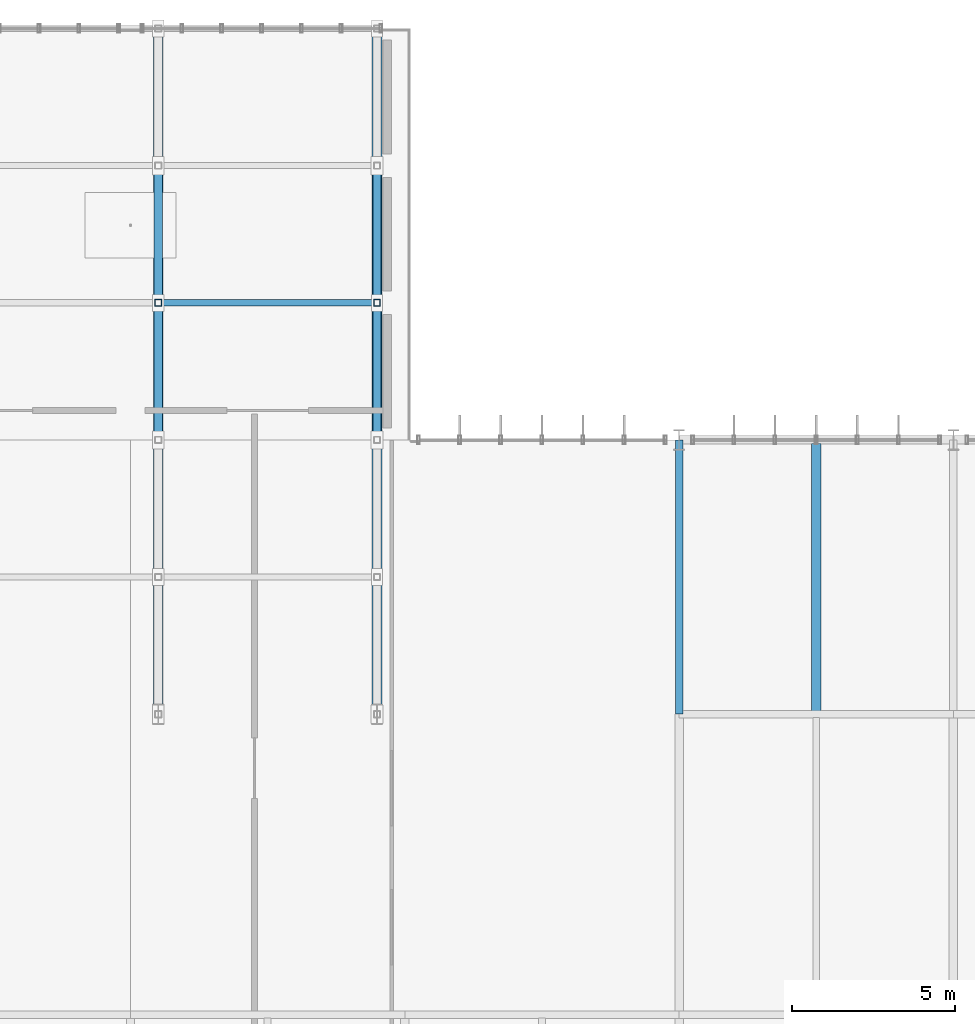
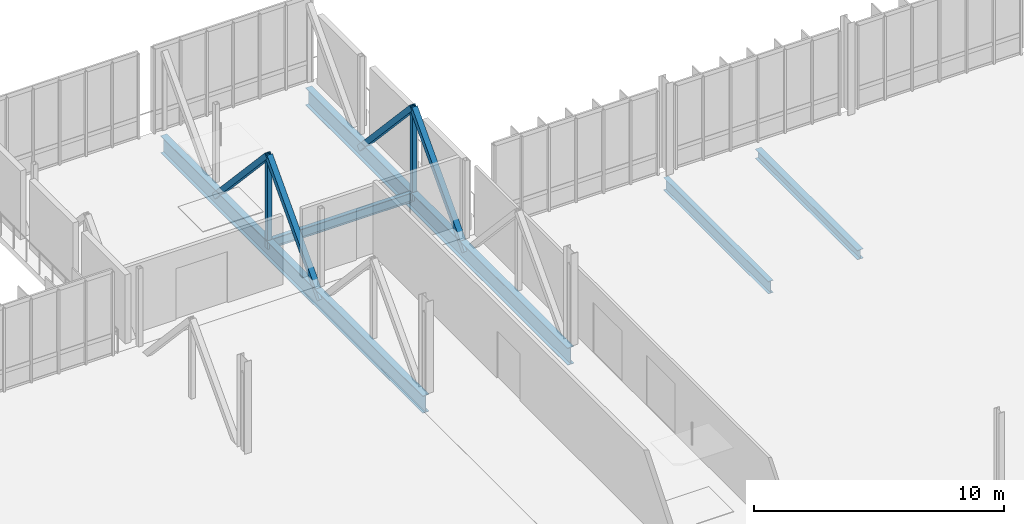
# One storey, part 70 of 139: 6 members, 5 beams.
"""IFC4 building model written with IfcOpenShell, lengths in metres."""

import ifcopenshell
import ifcopenshell.guid

model = None  # the IFC model being written
_history = None  # IfcOwnerHistory: only IFC2X3 demands one
_inside = {}  # id of a spatial element -> (the spatial element, [elements in it])
_under = {}  # id of a project, library or spatial element -> (it, [spatial elements below it])
_declared = {}  # id of a project -> (the project, [libraries it declares])
_typed = {}  # id of a type object -> (the type object, [elements of that type])
_made_of = {}  # id of a material, layer set ... -> (it, [elements and type objects made of it])


def new_model(schema):
    """Start an empty IFC model of exactly this schema.

    Asked for "IFC4X3", IfcOpenShell would pick the latest addendum, in which some entities
    have other attributes; the version numbers below select the first issue.
    IFC2X3 requires an IfcOwnerHistory on every rooted entity: one is made here for all.
    """
    global model, _history
    if schema == "IFC4X3":
        model = ifcopenshell.file(schema_version=(4, 3, 0, 0))
    else:
        model = ifcopenshell.file(schema=schema)
    _inside.clear()
    _under.clear()
    _declared.clear()
    _typed.clear()
    _made_of.clear()
    _history = None
    if model.schema == "IFC2X3":
        org = make("IfcOrganization", Name="unknown")
        user = make(
            "IfcPersonAndOrganization",
            ThePerson=make("IfcPerson", FamilyName="unknown"),
            TheOrganization=org,
        )
        app = make(
            "IfcApplication",
            ApplicationDeveloper=org,
            Version="unknown",
            ApplicationFullName="unknown",
            ApplicationIdentifier="unknown",
        )
        _history = make(
            "IfcOwnerHistory",
            OwningUser=user,
            OwningApplication=app,
            ChangeAction="ADDED",
            CreationDate=0,
        )
    return model


def make(cls, **values):
    """One entity of the class cls with the attributes given. An attribute that is None is left unset."""
    return model.create_entity(
        cls, **{name: value for name, value in values.items() if value is not None}
    )


def rooted(cls, **values):
    """An entity with a GlobalId (a new one), such as an element, a storey or a relation."""
    return make(cls, GlobalId=ifcopenshell.guid.new(), OwnerHistory=_history, **values)


def si_unit(unit_type, name, prefix=None):
    """IfcSIUnit, for example si_unit("LENGTHUNIT", "METRE", prefix="MILLI")."""
    return make("IfcSIUnit", UnitType=unit_type, Prefix=prefix, Name=name)


def derived_unit(unit_type, elements):
    """IfcDerivedUnit: a product of units, each with its exponent."""
    return make(
        "IfcDerivedUnit",
        Elements=[
            make("IfcDerivedUnitElement", Unit=unit, Exponent=power)
            for unit, power in elements
        ],
        UnitType=unit_type,
    )


def assignment(units):
    """IfcUnitAssignment: the units of a project."""
    return None if units is None else make("IfcUnitAssignment", Units=units)


def point(xyz):
    """IfcCartesianPoint."""
    return None if xyz is None else make("IfcCartesianPoint", Coordinates=xyz)


def direction(xyz):
    """IfcDirection."""
    return None if xyz is None else make("IfcDirection", DirectionRatios=xyz)


def frame(location, z_axis=None, x_axis=None):
    """IfcAxis2Placement3D, a coordinate frame: its origin and axes. An axis left out is left unset."""
    return make(
        "IfcAxis2Placement3D",
        Location=point(location),
        Axis=direction(z_axis),
        RefDirection=direction(x_axis),
    )


def frame_2d(location, x_axis=None):
    """IfcAxis2Placement2D, a coordinate frame in the plane: its origin and x axis."""
    return make(
        "IfcAxis2Placement2D", Location=point(location), RefDirection=direction(x_axis)
    )


def origin():
    """The frame at (0, 0, 0) with its axes left unset."""
    return frame((0.0, 0.0, 0.0))


def origin_2d():
    """The frame at (0, 0) in the plane with its x axis left unset."""
    return frame_2d((0.0, 0.0))


def place(relative_to, where):
    """IfcLocalPlacement: puts the frame where relative to a parent placement (None: the world)."""
    return make(
        "IfcLocalPlacement", PlacementRelTo=relative_to, RelativePlacement=where
    )


def context(
    kind, dimensions, precision=None, world=None, true_north=None, identifier=None
):
    """IfcGeometricRepresentationContext, for example the 3D "Model" context."""
    return make(
        "IfcGeometricRepresentationContext",
        ContextIdentifier=identifier,
        ContextType=kind,
        CoordinateSpaceDimension=dimensions,
        Precision=precision,
        WorldCoordinateSystem=world,
        TrueNorth=true_north,
    )


def subcontext(parent, identifier, kind, view, scale=None):
    """IfcGeometricRepresentationSubContext, for example "Body" below "Model"."""
    return make(
        "IfcGeometricRepresentationSubContext",
        ContextIdentifier=identifier,
        ContextType=kind,
        ParentContext=parent,
        TargetScale=scale,
        TargetView=view,
    )


def project(units=None, contexts=None):
    """IfcProject with its units and contexts."""
    return rooted(
        "IfcProject",
        Name="project",
        RepresentationContexts=contexts,
        UnitsInContext=assignment(units),
    )


def spatial(cls, under=None, at=None, **own):
    """A site, building, storey or space (cls), placed at a placement, below another one or the project."""
    s = rooted(cls, ObjectPlacement=at, **own)
    if under is not None:
        _under.setdefault(under.id(), (under, []))[1].append(s)
    return s


def profile(cls, at=None, kind="AREA", **sizes):
    """A parametric profile (cls). Its sizes go by their IFC names, for example OverallWidth=200.0."""
    return make(cls, ProfileType=kind, Position=at, **sizes)


def hollow_rectangle(**sizes):
    """IfcRectangleHollowProfileDef."""
    return profile("IfcRectangleHollowProfileDef", **sizes)


def i_section(**sizes):
    """IfcIShapeProfileDef."""
    return profile("IfcIShapeProfileDef", **sizes)


def extrude(swept, where, along, depth):
    """IfcExtrudedAreaSolid: the profile swept, set in the frame where, extruded along a direction by depth."""
    return make(
        "IfcExtrudedAreaSolid",
        SweptArea=swept,
        Position=where,
        ExtrudedDirection=direction(along),
        Depth=depth,
    )


def shape(context_of_items, identifier, shape_type, items):
    """IfcShapeRepresentation: the items that make up one representation, for example the "Body"."""
    return make(
        "IfcShapeRepresentation",
        ContextOfItems=context_of_items,
        RepresentationIdentifier=identifier,
        RepresentationType=shape_type,
        Items=items,
    )


def material(Name=None, Category=None):
    """IfcMaterial."""
    return make("IfcMaterial", Name=Name, Category=Category)


def material_profile(
    of_material, cross_section, Name=None, Category=None, Priority=None
):
    """IfcMaterialProfile: a cross section and its material."""
    return make(
        "IfcMaterialProfile",
        Name=Name,
        Material=of_material,
        Profile=cross_section,
        Priority=Priority,
        Category=Category,
    )


def profile_set(profiles, Name=None, composite=None):
    """IfcMaterialProfileSet."""
    return make(
        "IfcMaterialProfileSet",
        Name=Name,
        MaterialProfiles=profiles,
        CompositeProfile=composite,
    )


def made_of(thing, what):
    """Note that an element or type object is made of a material, layer set ...; save() writes the relation."""
    if what is not None:
        _made_of.setdefault(what.id(), (what, []))[1].append(thing)
    return thing


def type_object(cls, material=None, **own):
    """A type object (cls), such as IfcWallType, which elements share."""
    return made_of(rooted(cls, **own), material)


def element(
    cls,
    number,
    at=None,
    inside=None,
    cuts=None,
    type_object=None,
    material=None,
    context=None,
    identifier="Body",
    shape_type=None,
    held_by="IfcProductDefinitionShape",
    body=None,
    shapes=None,
    **own,
):
    """One element of the class cls, such as IfcWall. Its Tag is "e" and its number.

    at: its placement. inside: the storey or other place that contains it. cuts: it is an
    opening in that element (IfcRelVoidsElement). A single representation is given by context,
    identifier, shape_type and body (its items); several are given by shapes. held_by: the class
    of the entity that holds the representations. save() writes the other relations.
    """
    e = rooted(cls, Tag="e%d" % number, ObjectPlacement=at, **own)
    if body is not None:
        shapes = [shape(context, identifier, shape_type, body)]
    if shapes is not None:
        e.Representation = make(held_by, Representations=shapes)
    if inside is not None:
        _inside.setdefault(inside.id(), (inside, []))[1].append(e)
    if cuts is not None:
        rooted(
            "IfcRelVoidsElement", RelatingBuildingElement=cuts, RelatedOpeningElement=e
        )
    if type_object is not None:
        _typed.setdefault(type_object.id(), (type_object, []))[1].append(e)
    return made_of(e, material)


def aggregate(whole, parts):
    """IfcRelAggregates: a whole, such as a stair, and the parts it consists of."""
    return rooted("IfcRelAggregates", RelatingObject=whole, RelatedObjects=parts)


def save(model, path):
    """Write the relations noted so far, then the file.

    IfcRelAggregates (storeys below a building ...), IfcRelContainedInSpatialStructure (elements
    in a storey), IfcRelDefinesByType, IfcRelAssociatesMaterial and IfcRelDeclares: one each for
    every whole, place, type object, material and project.
    """
    for whole, parts in _under.values():
        aggregate(whole, parts)
    for where, things in _inside.values():
        rooted(
            "IfcRelContainedInSpatialStructure",
            RelatedElements=things,
            RelatingStructure=where,
        )
    for kind, things in _typed.values():
        rooted("IfcRelDefinesByType", RelatedObjects=things, RelatingType=kind)
    for what, things in _made_of.values():
        rooted("IfcRelAssociatesMaterial", RelatedObjects=things, RelatingMaterial=what)
    for by, libraries in _declared.values():
        rooted("IfcRelDeclares", RelatingContext=by, RelatedDefinitions=libraries)
    model.write(path)


model = new_model("IFC4")

# Units and contexts
model_context = context("Model", 3, precision=1e-05, world=origin(), true_north=direction((0.0, 1.0)))
body_context = subcontext(model_context, "Body", "Model", "MODEL_VIEW")
ifc_project = project(units=[si_unit("LENGTHUNIT", "METRE"), si_unit("AREAUNIT", "SQUARE_METRE"), si_unit("VOLUMEUNIT", "CUBIC_METRE"), si_unit("PLANEANGLEUNIT", "RADIAN"), si_unit("MASSUNIT", "GRAM", prefix="KILO"), derived_unit("THERMALTRANSMITTANCEUNIT", [(si_unit("MASSUNIT", "GRAM", prefix="KILO"), 1), (si_unit("TIMEUNIT", "SECOND"), -3), (si_unit("THERMODYNAMICTEMPERATUREUNIT", "KELVIN"), -1)])], contexts=[model_context])

# Site, building, storey
site_placement = place(None, origin())
site = spatial("IfcSite", under=ifc_project, at=site_placement, CompositionType="ELEMENT")
building_placement = place(site_placement, origin())
building = spatial("IfcBuilding", under=site, at=building_placement, Name="Makaiwela Harbour Ferry Terminal", CompositionType="ELEMENT")
storey_placement = place(building_placement, frame((0.0, 0.0, 5.10009765625)))
storey = spatial("IfcBuildingStorey", under=building, at=storey_placement, Name="L01", CompositionType="ELEMENT", Elevation=5.10009765625)

# Beam
ifc_material_1 = material(Name="Steel ASTM A992 Grade 50", Category="steel")
ifc_material_profile_1 = material_profile(ifc_material_1, i_section(OverallWidth=0.280029296875, OverallDepth=0.462890625, WebThickness=0.0107421875, FlangeThickness=0.017333984375, at=origin_2d()), Name="W18X76")
ifc_profile_set_1 = profile_set([ifc_material_profile_1], Name="Steel ASTM A992 Grade 50")
beam_type_1 = type_object("IfcBeamType", Name="STR-BM-W18X76", PredefinedType="BEAM", material=ifc_profile_set_1)
beam_1_placement = place(storey_placement, frame((117.60009765625, 95.096435546875, -0.51171875), z_axis=(0.0, 1.0, 0.0), x_axis=(-1.0, 0.0, 0.0)))
element("IfcBeam", 1, at=beam_1_placement, inside=storey, type_object=beam_type_1, Name="Secondary floor beam 1135", PredefinedType="BEAM", context=body_context, shape_type="SweptSolid", body=[
    extrude(i_section(OverallWidth=0.280029296875, OverallDepth=0.462890625, WebThickness=0.0107421875, FlangeThickness=0.017333984375, at=origin_2d()), origin(), (0.0, 0.0, 1.0), 8.18896484375),
])

# Members
ifc_material_2 = material(Name="Steel ASTM A500 Grade C", Category="steel")
ifc_material_profile_2 = material_profile(ifc_material_2, hollow_rectangle(XDim=0.25390625, YDim=0.25390625, WallThickness=0.0146484375, at=origin_2d()), Name="HSS10X10X5/8")
ifc_profile_set_2 = profile_set([ifc_material_profile_2], Name="Steel ASTM A500 Grade C")
member_type_1 = type_object("IfcMemberType", Name="STR-BRC-HSS10", PredefinedType="BRACE", material=ifc_profile_set_2)
for number, where, z_axis, x_axis, name in (
    (2, (97.449951171875, 103.39990234375, -0.70556640625), (0.0, 0.680715125989, 0.732548235443), (-1.0, 0.0, 0.0), "Structural Member BR-01"),
    (3, (97.449951171875, 107.60009765625, 3.814453125), (0.0, 0.680693892275, -0.732567966144), (-1.0, 0.0, 0.0), "Structural Member BR-01"),
    (4, (104.14990234375, 103.39990234375, -0.70556640625), (0.0, 0.680715125989, 0.732548235443), (-1.0, 0.0, 0.0), "Structural Member BR-01"),
    (5, (104.14990234375, 107.60009765625, 3.814453125), (0.0, 0.680693892275, -0.732567966144), (-1.0, 0.0, 0.0), "Structural Member BR-01"),
):
    element("IfcMember", number, at=place(storey_placement, frame(where, z_axis=z_axis, x_axis=x_axis)), inside=storey, type_object=member_type_1, Name=name, PredefinedType="BRACE", context=body_context, shape_type="SweptSolid", body=[
        extrude(hollow_rectangle(XDim=0.25390625, YDim=0.25390625, WallThickness=0.0146484375, at=origin_2d()), origin(), (0.0, 0.0, 1.0), 6.170166015625),
    ])

# Beams
ifc_material_profile_3 = material_profile(ifc_material_1, i_section(OverallWidth=0.22900390625, OverallDepth=0.612060546875, WebThickness=0.011962890625, FlangeThickness=0.01953125, at=origin_2d()), Name="W24X84")
ifc_profile_set_3 = profile_set([ifc_material_profile_3], Name="Steel ASTM A992 Grade 50")
beam_type_2 = type_object("IfcBeamType", Name="STR-GRD-W24X84", PredefinedType="USERDEFINED", material=ifc_profile_set_3)
beam_2_placement = place(storey_placement, frame((113.39990234375, 95.0, -0.586181640625), z_axis=(0.0, 1.0, 0.0), x_axis=(-1.0, 0.0, 0.0)))
element("IfcBeam", 6, at=beam_2_placement, inside=storey, type_object=beam_type_2, Name="Primary Y girder 989", ObjectType="GIRDER", PredefinedType="USERDEFINED", context=body_context, shape_type="SweptSolid", body=[
    extrude(i_section(OverallWidth=0.22900390625, OverallDepth=0.612060546875, WebThickness=0.011962890625, FlangeThickness=0.01953125, at=origin_2d()), origin(), (0.0, 0.0, 1.0), 8.39990234375),
])
ifc_material_profile_4 = material_profile(ifc_material_1, i_section(OverallWidth=0.2939453125, OverallDepth=0.85107421875, WebThickness=0.01611328125, FlangeThickness=0.02685546875, at=origin_2d()), Name="W33X152")
ifc_profile_set_4 = profile_set([ifc_material_profile_4], Name="Steel ASTM A992 Grade 50")
beam_type_3 = type_object("IfcBeamType", Name="STR-GRD-W33X152", PredefinedType="USERDEFINED", material=ifc_profile_set_4)
for number, where, z_axis, x_axis, name in (
    (7, (97.449951171875, 95.0, -0.70556640625), (0.0, 1.0, 0.0), (-1.0, 0.0, 0.0), "North bridge truss bottom chord 2"),
    (8, (104.14990234375, 95.0, -0.70556640625), (0.0, 1.0, 0.0), (-1.0, 0.0, 0.0), "North bridge truss bottom chord 3"),
):
    element("IfcBeam", number, at=place(storey_placement, frame(where, z_axis=z_axis, x_axis=x_axis)), inside=storey, type_object=beam_type_3, Name=name, ObjectType="GIRDER", PredefinedType="USERDEFINED", context=body_context, shape_type="SweptSolid", body=[
        extrude(i_section(OverallWidth=0.2939453125, OverallDepth=0.85107421875, WebThickness=0.01611328125, FlangeThickness=0.02685546875, at=origin_2d()), origin(), (0.0, 0.0, 1.0), 21.0),
    ])
ifc_material_profile_5 = material_profile(ifc_material_1, i_section(OverallWidth=0.18994140625, OverallDepth=0.45703125, WebThickness=0.009033203125, FlangeThickness=0.014404296875, at=origin_2d()), Name="W18X50")
ifc_profile_set_5 = profile_set([ifc_material_profile_5], Name="Steel ASTM A992 Grade 50")
beam_type_4 = type_object("IfcBeamType", Name="STR-JST-W18X50", PredefinedType="JOIST", material=ifc_profile_set_5)
beam_3_placement = place(storey_placement, frame((97.591064453125, 107.60009765625, -0.508544921875), z_axis=(1.0, 0.0, 0.0), x_axis=(0.0, 1.0, 0.0)))
element("IfcBeam", 9, at=beam_3_placement, inside=storey, type_object=beam_type_4, Name="Structural Beam J-01", PredefinedType="JOIST", context=body_context, shape_type="SweptSolid", body=[
    extrude(i_section(OverallWidth=0.18994140625, OverallDepth=0.45703125, WebThickness=0.009033203125, FlangeThickness=0.014404296875, at=origin_2d()), origin(), (0.0, 0.0, 1.0), 6.41796875),
])

# Members
ifc_material_profile_6 = material_profile(ifc_material_2, hollow_rectangle(XDim=0.202880859375, YDim=0.202880859375, WallThickness=0.01171875, at=origin_2d()), Name="HSS8X8X1/2")
ifc_profile_set_6 = profile_set([ifc_material_profile_6], Name="Steel ASTM A500 Grade C")
member_type_2 = type_object("IfcMemberType", Name="STR-PST-HSS8", PredefinedType="POST", material=ifc_profile_set_6)
for number, where, z_axis, x_axis, name in (
    (10, (97.449951171875, 107.60009765625, -0.70556640625), (0.0, 0.0, 1.0), (1.0, 0.0, 0.0), "Structural Member PS-01"),
    (11, (104.14990234375, 107.60009765625, -0.70556640625), (0.0, 0.0, 1.0), (1.0, 0.0, 0.0), "Structural Member PS-01"),
):
    element("IfcMember", number, at=place(storey_placement, frame(where, z_axis=z_axis, x_axis=x_axis)), inside=storey, type_object=member_type_2, Name=name, PredefinedType="POST", context=body_context, shape_type="SweptSolid", body=[
        extrude(hollow_rectangle(XDim=0.202880859375, YDim=0.202880859375, WallThickness=0.01171875, at=origin_2d()), origin(), (0.0, 0.0, 1.0), 4.52001953125),
    ])

save(model, "model.ifc")
